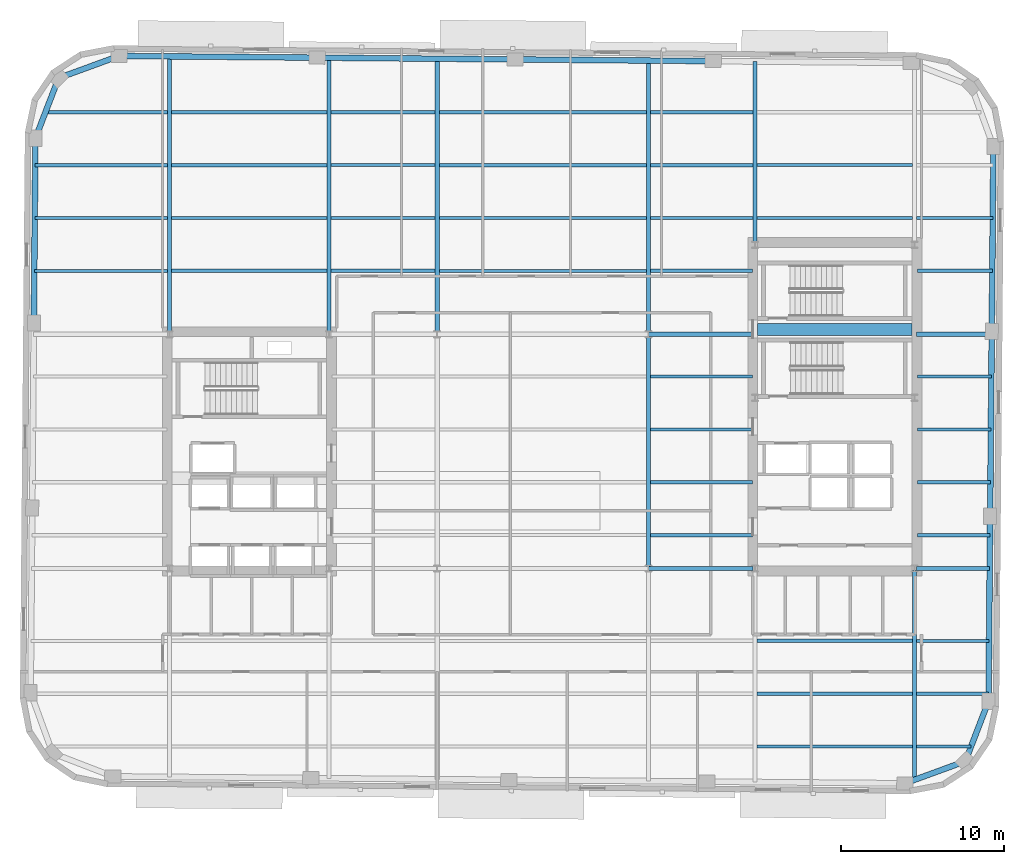
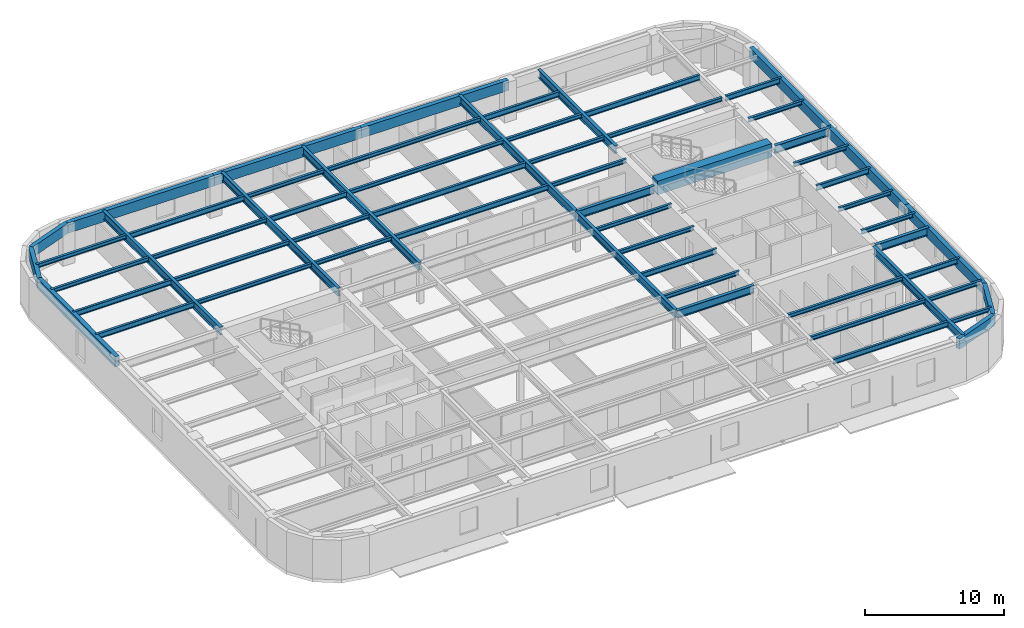
# One storey, part 2 of 11: 61 beams.
"""IFC4 building model written with IfcOpenShell, lengths in metres."""

from ifc_helpers import new_model, si_unit, direction, frame, origin, origin_2d, place, context, subcontext, project, spatial, rectangle, hollow_rectangle, i_section, extrude, material, material_profile, profile_set, type_object, element, save


model = new_model("IFC4")

# Units and contexts
model_context = context("Model", 3, precision=1e-05, world=origin(), true_north=direction((0.0, 1.0)))
body_context = subcontext(model_context, "Body", "Model", "MODEL_VIEW")
ifc_project = project(units=[si_unit("LENGTHUNIT", "METRE"), si_unit("AREAUNIT", "SQUARE_METRE"), si_unit("VOLUMEUNIT", "CUBIC_METRE"), si_unit("PLANEANGLEUNIT", "RADIAN"), si_unit("MASSUNIT", "GRAM", prefix="KILO")], contexts=[model_context])

# Site, building, storey
site_placement = place(None, origin())
site = spatial("IfcSite", under=ifc_project, at=site_placement, CompositionType="ELEMENT")
building_placement = place(site_placement, origin())
building = spatial("IfcBuilding", under=site, at=building_placement, Name="Kolvaren Arena Tower", CompositionType="ELEMENT")
storey_placement = place(building_placement, frame((0.0, 0.0, 162.199951171875)))
storey = spatial("IfcBuildingStorey", under=building, at=storey_placement, Name="L38", CompositionType="ELEMENT", Elevation=162.199951171875)

# Beams
ifc_material_1 = material(Name="Steel CSA G40.21 350W", Category="steel")
ifc_material_profile_1 = material_profile(ifc_material_1, i_section(OverallWidth=0.193115234375, OverallDepth=0.462890625, WebThickness=0.0107421875, FlangeThickness=0.0205078125, FilletRadius=0.012939453125, at=origin_2d()), Name="W460x113")
ifc_profile_set_1 = profile_set([ifc_material_profile_1], Name="Steel CSA G40.21 350W")
beam_type_1 = type_object("IfcBeamType", Name="BEAM-F2", PredefinedType="BEAM", material=ifc_profile_set_1)
beam_1_placement = place(storey_placement, frame((50.677490234375, 8.5, 3.24853515625), z_axis=(1.0, 0.0, 0.0), x_axis=(0.0, 1.0, 0.0)))
element("IfcBeam", 1, at=beam_1_placement, inside=storey, type_object=beam_type_1, Name="Composite Floor Beam (L38)", PredefinedType="BEAM", context=body_context, shape_type="SweptSolid", body=[
    extrude(i_section(OverallWidth=0.193115234375, OverallDepth=0.462890625, WebThickness=0.0107421875, FlangeThickness=0.0205078125, FilletRadius=0.012939453125, at=origin_2d()), origin(), (0.0, 0.0, 1.0), 9.544921875),
])
beam_2_placement = place(storey_placement, frame((60.4775390625, 15.0, 3.24853515625), z_axis=(1.0, 0.0, 0.0), x_axis=(0.0, 1.0, 0.0)))
element("IfcBeam", 2, at=beam_2_placement, inside=storey, type_object=beam_type_1, Name="Composite Floor Beam (L38)", PredefinedType="BEAM", context=body_context, shape_type="SweptSolid", body=[
    extrude(i_section(OverallWidth=0.193115234375, OverallDepth=0.462890625, WebThickness=0.0107421875, FlangeThickness=0.0205078125, FilletRadius=0.012939453125, at=origin_2d()), origin(), (0.0, 0.0, 1.0), 4.454833984375),
])
beam_3_placement = place(storey_placement, frame((44.12744140625, 24.75, 3.24853515625), z_axis=(1.0, 0.0, 0.0), x_axis=(0.0, 1.0, 0.0)))
element("IfcBeam", 3, at=beam_3_placement, inside=storey, type_object=beam_type_1, Name="Composite Floor Beam (L38)", PredefinedType="BEAM", context=body_context, shape_type="SweptSolid", body=[
    extrude(i_section(OverallWidth=0.193115234375, OverallDepth=0.462890625, WebThickness=0.0107421875, FlangeThickness=0.0205078125, FilletRadius=0.012939453125, at=origin_2d()), origin(), (0.0, 0.0, 1.0), 6.25244140625),
])
beam_4_placement = place(storey_placement, frame((60.52001953125, 28.0, 3.24853515625), z_axis=(1.0, 0.0, 0.0), x_axis=(0.0, 1.0, 0.0)))
element("IfcBeam", 4, at=beam_4_placement, inside=storey, type_object=beam_type_1, Name="Composite Floor Beam (L38)", PredefinedType="BEAM", context=body_context, shape_type="SweptSolid", body=[
    extrude(i_section(OverallWidth=0.193115234375, OverallDepth=0.462890625, WebThickness=0.0107421875, FlangeThickness=0.0205078125, FilletRadius=0.012939453125, at=origin_2d()), origin(), (0.0, 0.0, 1.0), 4.52587890625),
])
beam_5_placement = place(storey_placement, frame((6.228759765625, 37.75, 3.24853515625), z_axis=(1.0, 0.0, 0.0), x_axis=(0.0, 1.0, 0.0)))
element("IfcBeam", 5, at=beam_5_placement, inside=storey, type_object=beam_type_1, Name="Composite Floor Beam (L38)", PredefinedType="BEAM", context=body_context, shape_type="SweptSolid", body=[
    extrude(i_section(OverallWidth=0.193115234375, OverallDepth=0.462890625, WebThickness=0.0107421875, FlangeThickness=0.0205078125, FilletRadius=0.012939453125, at=origin_2d()), origin(), (0.0, 0.0, 1.0), 8.19384765625),
])
beam_6_placement = place(storey_placement, frame((31.12744140625, 37.75, 3.24853515625), z_axis=(1.0, 0.0, 0.0), x_axis=(0.0, 1.0, 0.0)))
element("IfcBeam", 6, at=beam_6_placement, inside=storey, type_object=beam_type_1, Name="Composite Floor Beam (L38)", PredefinedType="BEAM", context=body_context, shape_type="SweptSolid", body=[
    extrude(i_section(OverallWidth=0.193115234375, OverallDepth=0.462890625, WebThickness=0.0107421875, FlangeThickness=0.0205078125, FilletRadius=0.012939453125, at=origin_2d()), origin(), (0.0, 0.0, 1.0), 12.7451171875),
])
beam_7_placement = place(storey_placement, frame((6.257080078125, 41.0, 3.24853515625), z_axis=(1.0, 0.0, 0.0), x_axis=(0.0, 1.0, 0.0)))
element("IfcBeam", 7, at=beam_7_placement, inside=storey, type_object=beam_type_1, Name="Composite Floor Beam (L38)", PredefinedType="BEAM", context=body_context, shape_type="SweptSolid", body=[
    extrude(i_section(OverallWidth=0.193115234375, OverallDepth=0.462890625, WebThickness=0.0107421875, FlangeThickness=0.0205078125, FilletRadius=0.012939453125, at=origin_2d()), origin(), (0.0, 0.0, 1.0), 8.16552734375),
])
beam_8_placement = place(storey_placement, frame((31.12744140625, 41.0, 3.24853515625), z_axis=(1.0, 0.0, 0.0), x_axis=(0.0, 1.0, 0.0)))
element("IfcBeam", 8, at=beam_8_placement, inside=storey, type_object=beam_type_1, Name="Composite Floor Beam (L38)", PredefinedType="BEAM", context=body_context, shape_type="SweptSolid", body=[
    extrude(i_section(OverallWidth=0.193115234375, OverallDepth=0.462890625, WebThickness=0.0107421875, FlangeThickness=0.0205078125, FilletRadius=0.012939453125, at=origin_2d()), origin(), (0.0, 0.0, 1.0), 12.7451171875),
])
beam_9_placement = place(storey_placement, frame((60.4775390625, 41.0, 3.24853515625), z_axis=(1.0, 0.0, 0.0), x_axis=(0.0, 1.0, 0.0)))
element("IfcBeam", 9, at=beam_9_placement, inside=storey, type_object=beam_type_1, Name="Composite Floor Beam (L38)", PredefinedType="BEAM", context=body_context, shape_type="SweptSolid", body=[
    extrude(i_section(OverallWidth=0.193115234375, OverallDepth=0.462890625, WebThickness=0.0107421875, FlangeThickness=0.0205078125, FilletRadius=0.012939453125, at=origin_2d()), origin(), (0.0, 0.0, 1.0), 4.681884765625),
])
beam_10_placement = place(storey_placement, frame((24.4775390625, 44.25, 3.24853515625), z_axis=(1.0, 0.0, 0.0), x_axis=(0.0, 1.0, 0.0)))
element("IfcBeam", 10, at=beam_10_placement, inside=storey, type_object=beam_type_1, Name="Composite Floor Beam (L38)", PredefinedType="BEAM", context=body_context, shape_type="SweptSolid", body=[
    extrude(i_section(OverallWidth=0.193115234375, OverallDepth=0.462890625, WebThickness=0.0107421875, FlangeThickness=0.0205078125, FilletRadius=0.012939453125, at=origin_2d()), origin(), (0.0, 0.0, 1.0), 6.39501953125),
])
for number, where, z_axis, x_axis, name in (
    (11, (50.677490234375, 44.25, 3.24853515625), (1.0, 0.0, 0.0), (0.0, 1.0, 0.0), "Composite Floor Beam (L38)"),
    (12, (14.677490234375, 47.5, 3.24853515625), (1.0, 0.0, 0.0), (0.0, 1.0, 0.0), "Composite Floor Beam (L38)"),
):
    element("IfcBeam", number, at=place(storey_placement, frame(where, z_axis=z_axis, x_axis=x_axis)), inside=storey, type_object=beam_type_1, Name=name, PredefinedType="BEAM", context=body_context, shape_type="SweptSolid", body=[
        extrude(i_section(OverallWidth=0.193115234375, OverallDepth=0.462890625, WebThickness=0.0107421875, FlangeThickness=0.0205078125, FilletRadius=0.012939453125, at=origin_2d()), origin(), (0.0, 0.0, 1.0), 9.544921875),
    ])
beam_11_placement = place(storey_placement, frame((44.12744140625, 47.5, 3.24853515625), z_axis=(1.0, 0.0, 0.0), x_axis=(0.0, 1.0, 0.0)))
element("IfcBeam", 13, at=beam_11_placement, inside=storey, type_object=beam_type_1, Name="Composite Floor Beam (L38)", PredefinedType="BEAM", context=body_context, shape_type="SweptSolid", body=[
    extrude(i_section(OverallWidth=0.193115234375, OverallDepth=0.462890625, WebThickness=0.0107421875, FlangeThickness=0.0205078125, FilletRadius=0.012939453125, at=origin_2d()), origin(), (0.0, 0.0, 1.0), 6.295166015625),
])
ifc_material_2 = material(Name="Concrete 60 MPa", Category="concrete")
ifc_material_profile_2 = material_profile(ifc_material_2, rectangle(XDim=0.75, YDim=1.199951171875, at=origin_2d()), Name="RC-750x1200")
ifc_profile_set_2 = profile_set([ifc_material_profile_2], Name="Concrete 60 MPa")
beam_type_2 = type_object("IfcBeamType", Name="CB-CORE-2", PredefinedType="BEAM", material=ifc_profile_set_2)
beam_12_placement = place(storey_placement, frame((50.699951171875, 34.14990234375, 3.150146484375), z_axis=(1.0, 0.0, 0.0), x_axis=(0.0, 1.0, 0.0)))
element("IfcBeam", 14, at=beam_12_placement, inside=storey, type_object=beam_type_2, Name="East Core Coupling Beam (L38)", PredefinedType="BEAM", context=body_context, shape_type="SweptSolid", body=[
    extrude(rectangle(XDim=0.75, YDim=1.199951171875, at=origin_2d()), origin(), (0.0, 0.0, 1.0), 9.5),
])
ifc_material_profile_3 = material_profile(ifc_material_1, i_section(OverallWidth=0.2548828125, OverallDepth=0.695068359375, WebThickness=0.01708984375, FlangeThickness=0.02978515625, FilletRadius=0.01611328125, at=origin_2d()), Name="W690x217")
ifc_profile_set_3 = profile_set([ifc_material_profile_3], Name="Steel CSA G40.21 350W")
beam_type_3 = type_object("IfcBeamType", Name="GIRD-T2", PredefinedType="BEAM", material=ifc_profile_set_3)
beam_13_placement = place(storey_placement, frame((44.0, 19.449951171875, 3.132568359375), z_axis=(1.0, 0.0, 0.0), x_axis=(0.0, 1.0, 0.0)))
element("IfcBeam", 15, at=beam_13_placement, inside=storey, type_object=beam_type_3, Name="Primary Floor Girder (L38)", PredefinedType="BEAM", context=body_context, shape_type="SweptSolid", body=[
    extrude(i_section(OverallWidth=0.2548828125, OverallDepth=0.695068359375, WebThickness=0.01708984375, FlangeThickness=0.02978515625, FilletRadius=0.01611328125, at=origin_2d()), origin(), (0.0, 0.0, 1.0), 6.419921875),
])
beam_14_placement = place(storey_placement, frame((60.47998046875, 19.449951171875, 3.132568359375), z_axis=(1.0, 0.0, 0.0), x_axis=(0.0, 1.0, 0.0)))
element("IfcBeam", 16, at=beam_14_placement, inside=storey, type_object=beam_type_3, Name="Primary Floor Girder (L38)", PredefinedType="BEAM", context=body_context, shape_type="SweptSolid", body=[
    extrude(i_section(OverallWidth=0.2548828125, OverallDepth=0.695068359375, WebThickness=0.01708984375, FlangeThickness=0.02978515625, FilletRadius=0.01611328125, at=origin_2d()), origin(), (0.0, 0.0, 1.0), 4.4912109375),
])
beam_15_placement = place(storey_placement, frame((44.0, 33.85009765625, 3.132568359375), z_axis=(1.0, 0.0, 0.0), x_axis=(0.0, 1.0, 0.0)))
element("IfcBeam", 17, at=beam_15_placement, inside=storey, type_object=beam_type_3, Name="Primary Floor Girder (L38)", PredefinedType="BEAM", context=body_context, shape_type="SweptSolid", body=[
    extrude(i_section(OverallWidth=0.2548828125, OverallDepth=0.695068359375, WebThickness=0.01708984375, FlangeThickness=0.02978515625, FilletRadius=0.01611328125, at=origin_2d()), origin(), (0.0, 0.0, 1.0), 6.419921875),
])
beam_16_placement = place(storey_placement, frame((60.47998046875, 33.85009765625, 3.132568359375), z_axis=(1.0, 0.0, 0.0), x_axis=(0.0, 1.0, 0.0)))
element("IfcBeam", 18, at=beam_16_placement, inside=storey, type_object=beam_type_3, Name="Primary Floor Girder (L38)", PredefinedType="BEAM", context=body_context, shape_type="SweptSolid", body=[
    extrude(i_section(OverallWidth=0.2548828125, OverallDepth=0.695068359375, WebThickness=0.01708984375, FlangeThickness=0.02978515625, FilletRadius=0.01611328125, at=origin_2d()), origin(), (0.0, 0.0, 1.0), 4.616943359375),
])
beam_17_placement = place(storey_placement, frame((14.550048828125, 33.97998046875, 3.132568359375), z_axis=(0.0, 1.0, 0.0), x_axis=(-1.0, 0.0, 0.0)))
element("IfcBeam", 19, at=beam_17_placement, inside=storey, type_object=beam_type_3, Name="Primary Floor Girder (L38)", PredefinedType="BEAM", context=body_context, shape_type="SweptSolid", body=[
    extrude(i_section(OverallWidth=0.2548828125, OverallDepth=0.695068359375, WebThickness=0.01708984375, FlangeThickness=0.02978515625, FilletRadius=0.01611328125, at=origin_2d()), origin(), (0.0, 0.0, 1.0), 16.95458984375),
])
beam_18_placement = place(storey_placement, frame((24.35009765625, 33.97998046875, 3.132568359375), z_axis=(0.0, 1.0, 0.0), x_axis=(-1.0, 0.0, 0.0)))
element("IfcBeam", 20, at=beam_18_placement, inside=storey, type_object=beam_type_3, Name="Primary Floor Girder (L38)", PredefinedType="BEAM", context=body_context, shape_type="SweptSolid", body=[
    extrude(i_section(OverallWidth=0.2548828125, OverallDepth=0.695068359375, WebThickness=0.01708984375, FlangeThickness=0.02978515625, FilletRadius=0.01611328125, at=origin_2d()), origin(), (0.0, 0.0, 1.0), 16.869140625),
])
beam_19_placement = place(storey_placement, frame((31.0, 33.85009765625, 3.132568359375), z_axis=(0.0, 1.0, 0.0), x_axis=(-1.0, 0.0, 0.0)))
element("IfcBeam", 21, at=beam_19_placement, inside=storey, type_object=beam_type_3, Name="Primary Floor Girder (L38)", PredefinedType="BEAM", context=body_context, shape_type="SweptSolid", body=[
    extrude(i_section(OverallWidth=0.2548828125, OverallDepth=0.695068359375, WebThickness=0.01708984375, FlangeThickness=0.02978515625, FilletRadius=0.01611328125, at=origin_2d()), origin(), (0.0, 0.0, 1.0), 16.94091796875),
])
beam_20_placement = place(storey_placement, frame((44.0, 19.449951171875, 3.132568359375), z_axis=(0.0, 1.0, 0.0), x_axis=(-1.0, 0.0, 0.0)))
element("IfcBeam", 22, at=beam_20_placement, inside=storey, type_object=beam_type_3, Name="Primary Floor Girder (L38)", PredefinedType="BEAM", context=body_context, shape_type="SweptSolid", body=[
    extrude(i_section(OverallWidth=0.2548828125, OverallDepth=0.695068359375, WebThickness=0.01708984375, FlangeThickness=0.02978515625, FilletRadius=0.01611328125, at=origin_2d()), origin(), (0.0, 0.0, 1.0), 14.400146484375),
])
beam_21_placement = place(storey_placement, frame((44.0, 33.85009765625, 3.132568359375), z_axis=(0.0, 1.0, 0.0), x_axis=(-1.0, 0.0, 0.0)))
element("IfcBeam", 23, at=beam_21_placement, inside=storey, type_object=beam_type_3, Name="Primary Floor Girder (L38)", PredefinedType="BEAM", context=body_context, shape_type="SweptSolid", body=[
    extrude(i_section(OverallWidth=0.2548828125, OverallDepth=0.695068359375, WebThickness=0.01708984375, FlangeThickness=0.02978515625, FilletRadius=0.01611328125, at=origin_2d()), origin(), (0.0, 0.0, 1.0), 16.827392578125),
])
beam_22_placement = place(storey_placement, frame((50.550048828125, 39.47998046875, 3.132568359375), z_axis=(0.0, 1.0, 0.0), x_axis=(-1.0, 0.0, 0.0)))
element("IfcBeam", 24, at=beam_22_placement, inside=storey, type_object=beam_type_3, Name="Primary Floor Girder (L38)", PredefinedType="BEAM", context=body_context, shape_type="SweptSolid", body=[
    extrude(i_section(OverallWidth=0.2548828125, OverallDepth=0.695068359375, WebThickness=0.01708984375, FlangeThickness=0.02978515625, FilletRadius=0.01611328125, at=origin_2d()), origin(), (0.0, 0.0, 1.0), 11.140380859375),
])
beam_23_placement = place(storey_placement, frame((60.35009765625, 6.455322265625, 3.132568359375), z_axis=(0.0, 1.0, 0.0), x_axis=(-1.0, 0.0, 0.0)))
element("IfcBeam", 25, at=beam_23_placement, inside=storey, type_object=beam_type_3, Name="Primary Floor Girder (L38)", PredefinedType="BEAM", context=body_context, shape_type="SweptSolid", body=[
    extrude(i_section(OverallWidth=0.2548828125, OverallDepth=0.695068359375, WebThickness=0.01708984375, FlangeThickness=0.02978515625, FilletRadius=0.01611328125, at=origin_2d()), origin(), (0.0, 0.0, 1.0), 12.86474609375),
])
ifc_material_profile_4 = material_profile(ifc_material_1, i_section(OverallWidth=0.202880859375, OverallDepth=0.346923828125, WebThickness=0.0078125, FlangeThickness=0.013427734375, FilletRadius=0.010986328125, at=origin_2d()), Name="W360x64")
ifc_profile_set_4 = profile_set([ifc_material_profile_4], Name="Steel CSA G40.21 350W")
beam_type_4 = type_object("IfcBeamType", Name="JOIST-01", PredefinedType="JOIST", material=ifc_profile_set_4)
beam_24_placement = place(storey_placement, frame((60.4775390625, 8.5, 3.306640625), z_axis=(1.0, 0.0, 0.0), x_axis=(0.0, 1.0, 0.0)))
element("IfcBeam", 26, at=beam_24_placement, inside=storey, type_object=beam_type_4, Name="Composite Floor Joist (L38)", PredefinedType="JOIST", context=body_context, shape_type="SweptSolid", body=[
    extrude(i_section(OverallWidth=0.202880859375, OverallDepth=0.346923828125, WebThickness=0.0078125, FlangeThickness=0.013427734375, FilletRadius=0.010986328125, at=origin_2d()), origin(), (0.0, 0.0, 1.0), 3.3466796875),
])
beam_25_placement = place(storey_placement, frame((50.677490234375, 11.75, 3.306640625), z_axis=(1.0, 0.0, 0.0), x_axis=(0.0, 1.0, 0.0)))
element("IfcBeam", 27, at=beam_25_placement, inside=storey, type_object=beam_type_4, Name="Composite Floor Joist (L38)", PredefinedType="JOIST", context=body_context, shape_type="SweptSolid", body=[
    extrude(i_section(OverallWidth=0.202880859375, OverallDepth=0.346923828125, WebThickness=0.0078125, FlangeThickness=0.013427734375, FilletRadius=0.010986328125, at=origin_2d()), origin(), (0.0, 0.0, 1.0), 9.544921875),
])
beam_26_placement = place(storey_placement, frame((60.4775390625, 11.75, 3.306640625), z_axis=(1.0, 0.0, 0.0), x_axis=(0.0, 1.0, 0.0)))
element("IfcBeam", 28, at=beam_26_placement, inside=storey, type_object=beam_type_4, Name="Composite Floor Joist (L38)", PredefinedType="JOIST", context=body_context, shape_type="SweptSolid", body=[
    extrude(i_section(OverallWidth=0.202880859375, OverallDepth=0.346923828125, WebThickness=0.0078125, FlangeThickness=0.013427734375, FilletRadius=0.010986328125, at=origin_2d()), origin(), (0.0, 0.0, 1.0), 4.426513671875),
])
beam_27_placement = place(storey_placement, frame((50.677490234375, 15.0, 3.306640625), z_axis=(1.0, 0.0, 0.0), x_axis=(0.0, 1.0, 0.0)))
element("IfcBeam", 29, at=beam_27_placement, inside=storey, type_object=beam_type_4, Name="Composite Floor Joist (L38)", PredefinedType="JOIST", context=body_context, shape_type="SweptSolid", body=[
    extrude(i_section(OverallWidth=0.202880859375, OverallDepth=0.346923828125, WebThickness=0.0078125, FlangeThickness=0.013427734375, FilletRadius=0.010986328125, at=origin_2d()), origin(), (0.0, 0.0, 1.0), 9.544921875),
])
beam_28_placement = place(storey_placement, frame((44.12744140625, 21.5, 3.306640625), z_axis=(1.0, 0.0, 0.0), x_axis=(0.0, 1.0, 0.0)))
element("IfcBeam", 30, at=beam_28_placement, inside=storey, type_object=beam_type_4, Name="Composite Floor Joist (L38)", PredefinedType="JOIST", context=body_context, shape_type="SweptSolid", body=[
    extrude(i_section(OverallWidth=0.202880859375, OverallDepth=0.346923828125, WebThickness=0.0078125, FlangeThickness=0.013427734375, FilletRadius=0.010986328125, at=origin_2d()), origin(), (0.0, 0.0, 1.0), 6.25244140625),
])
beam_29_placement = place(storey_placement, frame((60.52001953125, 21.5, 3.306640625), z_axis=(1.0, 0.0, 0.0), x_axis=(0.0, 1.0, 0.0)))
element("IfcBeam", 31, at=beam_29_placement, inside=storey, type_object=beam_type_4, Name="Composite Floor Joist (L38)", PredefinedType="JOIST", context=body_context, shape_type="SweptSolid", body=[
    extrude(i_section(OverallWidth=0.202880859375, OverallDepth=0.346923828125, WebThickness=0.0078125, FlangeThickness=0.013427734375, FilletRadius=0.010986328125, at=origin_2d()), origin(), (0.0, 0.0, 1.0), 4.46923828125),
])
beam_30_placement = place(storey_placement, frame((60.52001953125, 24.75, 3.306640625), z_axis=(1.0, 0.0, 0.0), x_axis=(0.0, 1.0, 0.0)))
element("IfcBeam", 32, at=beam_30_placement, inside=storey, type_object=beam_type_4, Name="Composite Floor Joist (L38)", PredefinedType="JOIST", context=body_context, shape_type="SweptSolid", body=[
    extrude(i_section(OverallWidth=0.202880859375, OverallDepth=0.346923828125, WebThickness=0.0078125, FlangeThickness=0.013427734375, FilletRadius=0.010986328125, at=origin_2d()), origin(), (0.0, 0.0, 1.0), 4.49755859375),
])
for number, where, z_axis, x_axis, name in (
    (33, (44.12744140625, 28.0, 3.306640625), (1.0, 0.0, 0.0), (0.0, 1.0, 0.0), "Composite Floor Joist (L38)"),
    (34, (44.12744140625, 31.25, 3.306640625), (1.0, 0.0, 0.0), (0.0, 1.0, 0.0), "Composite Floor Joist (L38)"),
):
    element("IfcBeam", number, at=place(storey_placement, frame(where, z_axis=z_axis, x_axis=x_axis)), inside=storey, type_object=beam_type_4, Name=name, PredefinedType="JOIST", context=body_context, shape_type="SweptSolid", body=[
        extrude(i_section(OverallWidth=0.202880859375, OverallDepth=0.346923828125, WebThickness=0.0078125, FlangeThickness=0.013427734375, FilletRadius=0.010986328125, at=origin_2d()), origin(), (0.0, 0.0, 1.0), 6.25244140625),
    ])
beam_31_placement = place(storey_placement, frame((60.52001953125, 31.25, 3.306640625), z_axis=(1.0, 0.0, 0.0), x_axis=(0.0, 1.0, 0.0)))
element("IfcBeam", 35, at=beam_31_placement, inside=storey, type_object=beam_type_4, Name="Composite Floor Joist (L38)", PredefinedType="JOIST", context=body_context, shape_type="SweptSolid", body=[
    extrude(i_section(OverallWidth=0.202880859375, OverallDepth=0.346923828125, WebThickness=0.0078125, FlangeThickness=0.013427734375, FilletRadius=0.010986328125, at=origin_2d()), origin(), (0.0, 0.0, 1.0), 4.55419921875),
])
beam_32_placement = place(storey_placement, frame((14.677490234375, 37.75, 3.306640625), z_axis=(1.0, 0.0, 0.0), x_axis=(0.0, 1.0, 0.0)))
element("IfcBeam", 36, at=beam_32_placement, inside=storey, type_object=beam_type_4, Name="Composite Floor Joist (L38)", PredefinedType="JOIST", context=body_context, shape_type="SweptSolid", body=[
    extrude(i_section(OverallWidth=0.202880859375, OverallDepth=0.346923828125, WebThickness=0.0078125, FlangeThickness=0.013427734375, FilletRadius=0.010986328125, at=origin_2d()), origin(), (0.0, 0.0, 1.0), 9.544921875),
])
beam_33_placement = place(storey_placement, frame((24.4775390625, 37.75, 3.306640625), z_axis=(1.0, 0.0, 0.0), x_axis=(0.0, 1.0, 0.0)))
element("IfcBeam", 37, at=beam_33_placement, inside=storey, type_object=beam_type_4, Name="Composite Floor Joist (L38)", PredefinedType="JOIST", context=body_context, shape_type="SweptSolid", body=[
    extrude(i_section(OverallWidth=0.202880859375, OverallDepth=0.346923828125, WebThickness=0.0078125, FlangeThickness=0.013427734375, FilletRadius=0.010986328125, at=origin_2d()), origin(), (0.0, 0.0, 1.0), 6.39501953125),
])
beam_34_placement = place(storey_placement, frame((44.12744140625, 37.75, 3.306640625), z_axis=(1.0, 0.0, 0.0), x_axis=(0.0, 1.0, 0.0)))
element("IfcBeam", 38, at=beam_34_placement, inside=storey, type_object=beam_type_4, Name="Composite Floor Joist (L38)", PredefinedType="JOIST", context=body_context, shape_type="SweptSolid", body=[
    extrude(i_section(OverallWidth=0.202880859375, OverallDepth=0.346923828125, WebThickness=0.0078125, FlangeThickness=0.013427734375, FilletRadius=0.010986328125, at=origin_2d()), origin(), (0.0, 0.0, 1.0), 6.25244140625),
])
beam_35_placement = place(storey_placement, frame((60.52001953125, 37.75, 3.306640625), z_axis=(1.0, 0.0, 0.0), x_axis=(0.0, 1.0, 0.0)))
element("IfcBeam", 39, at=beam_35_placement, inside=storey, type_object=beam_type_4, Name="Composite Floor Joist (L38)", PredefinedType="JOIST", context=body_context, shape_type="SweptSolid", body=[
    extrude(i_section(OverallWidth=0.202880859375, OverallDepth=0.346923828125, WebThickness=0.0078125, FlangeThickness=0.013427734375, FilletRadius=0.010986328125, at=origin_2d()), origin(), (0.0, 0.0, 1.0), 4.611083984375),
])
beam_36_placement = place(storey_placement, frame((14.677490234375, 41.0, 3.306640625), z_axis=(1.0, 0.0, 0.0), x_axis=(0.0, 1.0, 0.0)))
element("IfcBeam", 40, at=beam_36_placement, inside=storey, type_object=beam_type_4, Name="Composite Floor Joist (L38)", PredefinedType="JOIST", context=body_context, shape_type="SweptSolid", body=[
    extrude(i_section(OverallWidth=0.202880859375, OverallDepth=0.346923828125, WebThickness=0.0078125, FlangeThickness=0.013427734375, FilletRadius=0.010986328125, at=origin_2d()), origin(), (0.0, 0.0, 1.0), 9.544921875),
])
beam_37_placement = place(storey_placement, frame((24.4775390625, 41.0, 3.306640625), z_axis=(1.0, 0.0, 0.0), x_axis=(0.0, 1.0, 0.0)))
element("IfcBeam", 41, at=beam_37_placement, inside=storey, type_object=beam_type_4, Name="Composite Floor Joist (L38)", PredefinedType="JOIST", context=body_context, shape_type="SweptSolid", body=[
    extrude(i_section(OverallWidth=0.202880859375, OverallDepth=0.346923828125, WebThickness=0.0078125, FlangeThickness=0.013427734375, FilletRadius=0.010986328125, at=origin_2d()), origin(), (0.0, 0.0, 1.0), 6.39501953125),
])
beam_38_placement = place(storey_placement, frame((44.12744140625, 41.0, 3.306640625), z_axis=(1.0, 0.0, 0.0), x_axis=(0.0, 1.0, 0.0)))
element("IfcBeam", 42, at=beam_38_placement, inside=storey, type_object=beam_type_4, Name="Composite Floor Joist (L38)", PredefinedType="JOIST", context=body_context, shape_type="SweptSolid", body=[
    extrude(i_section(OverallWidth=0.202880859375, OverallDepth=0.346923828125, WebThickness=0.0078125, FlangeThickness=0.013427734375, FilletRadius=0.010986328125, at=origin_2d()), origin(), (0.0, 0.0, 1.0), 6.295166015625),
])
beam_39_placement = place(storey_placement, frame((50.677490234375, 41.0, 3.306640625), z_axis=(1.0, 0.0, 0.0), x_axis=(0.0, 1.0, 0.0)))
element("IfcBeam", 43, at=beam_39_placement, inside=storey, type_object=beam_type_4, Name="Composite Floor Joist (L38)", PredefinedType="JOIST", context=body_context, shape_type="SweptSolid", body=[
    extrude(i_section(OverallWidth=0.202880859375, OverallDepth=0.346923828125, WebThickness=0.0078125, FlangeThickness=0.013427734375, FilletRadius=0.010986328125, at=origin_2d()), origin(), (0.0, 0.0, 1.0), 9.544921875),
])
beam_40_placement = place(storey_placement, frame((6.285400390625, 44.25, 3.306640625), z_axis=(1.0, 0.0, 0.0), x_axis=(0.0, 1.0, 0.0)))
element("IfcBeam", 44, at=beam_40_placement, inside=storey, type_object=beam_type_4, Name="Composite Floor Joist (L38)", PredefinedType="JOIST", context=body_context, shape_type="SweptSolid", body=[
    extrude(i_section(OverallWidth=0.202880859375, OverallDepth=0.346923828125, WebThickness=0.0078125, FlangeThickness=0.013427734375, FilletRadius=0.010986328125, at=origin_2d()), origin(), (0.0, 0.0, 1.0), 8.13720703125),
])
beam_41_placement = place(storey_placement, frame((14.677490234375, 44.25, 3.306640625), z_axis=(1.0, 0.0, 0.0), x_axis=(0.0, 1.0, 0.0)))
element("IfcBeam", 45, at=beam_41_placement, inside=storey, type_object=beam_type_4, Name="Composite Floor Joist (L38)", PredefinedType="JOIST", context=body_context, shape_type="SweptSolid", body=[
    extrude(i_section(OverallWidth=0.202880859375, OverallDepth=0.346923828125, WebThickness=0.0078125, FlangeThickness=0.013427734375, FilletRadius=0.010986328125, at=origin_2d()), origin(), (0.0, 0.0, 1.0), 9.544921875),
])
beam_42_placement = place(storey_placement, frame((31.12744140625, 44.25, 3.306640625), z_axis=(1.0, 0.0, 0.0), x_axis=(0.0, 1.0, 0.0)))
element("IfcBeam", 46, at=beam_42_placement, inside=storey, type_object=beam_type_4, Name="Composite Floor Joist (L38)", PredefinedType="JOIST", context=body_context, shape_type="SweptSolid", body=[
    extrude(i_section(OverallWidth=0.202880859375, OverallDepth=0.346923828125, WebThickness=0.0078125, FlangeThickness=0.013427734375, FilletRadius=0.010986328125, at=origin_2d()), origin(), (0.0, 0.0, 1.0), 12.7451171875),
])
beam_43_placement = place(storey_placement, frame((44.12744140625, 44.25, 3.306640625), z_axis=(1.0, 0.0, 0.0), x_axis=(0.0, 1.0, 0.0)))
element("IfcBeam", 47, at=beam_43_placement, inside=storey, type_object=beam_type_4, Name="Composite Floor Joist (L38)", PredefinedType="JOIST", context=body_context, shape_type="SweptSolid", body=[
    extrude(i_section(OverallWidth=0.202880859375, OverallDepth=0.346923828125, WebThickness=0.0078125, FlangeThickness=0.013427734375, FilletRadius=0.010986328125, at=origin_2d()), origin(), (0.0, 0.0, 1.0), 6.295166015625),
])
beam_44_placement = place(storey_placement, frame((6.913818359375, 47.5, 3.306640625), z_axis=(1.0, 0.0, 0.0), x_axis=(0.0, 1.0, 0.0)))
element("IfcBeam", 48, at=beam_44_placement, inside=storey, type_object=beam_type_4, Name="Composite Floor Joist (L38)", PredefinedType="JOIST", context=body_context, shape_type="SweptSolid", body=[
    extrude(i_section(OverallWidth=0.202880859375, OverallDepth=0.346923828125, WebThickness=0.0078125, FlangeThickness=0.013427734375, FilletRadius=0.010986328125, at=origin_2d()), origin(), (0.0, 0.0, 1.0), 7.5087890625),
])
beam_45_placement = place(storey_placement, frame((24.4775390625, 47.5, 3.306640625), z_axis=(1.0, 0.0, 0.0), x_axis=(0.0, 1.0, 0.0)))
element("IfcBeam", 49, at=beam_45_placement, inside=storey, type_object=beam_type_4, Name="Composite Floor Joist (L38)", PredefinedType="JOIST", context=body_context, shape_type="SweptSolid", body=[
    extrude(i_section(OverallWidth=0.202880859375, OverallDepth=0.346923828125, WebThickness=0.0078125, FlangeThickness=0.013427734375, FilletRadius=0.010986328125, at=origin_2d()), origin(), (0.0, 0.0, 1.0), 6.39501953125),
])
beam_46_placement = place(storey_placement, frame((31.12744140625, 47.5, 3.306640625), z_axis=(1.0, 0.0, 0.0), x_axis=(0.0, 1.0, 0.0)))
element("IfcBeam", 50, at=beam_46_placement, inside=storey, type_object=beam_type_4, Name="Composite Floor Joist (L38)", PredefinedType="JOIST", context=body_context, shape_type="SweptSolid", body=[
    extrude(i_section(OverallWidth=0.202880859375, OverallDepth=0.346923828125, WebThickness=0.0078125, FlangeThickness=0.013427734375, FilletRadius=0.010986328125, at=origin_2d()), origin(), (0.0, 0.0, 1.0), 12.7451171875),
])
ifc_material_3 = material(Name="Steel CSA G40.21 350WT", Category="steel")
ifc_material_profile_5 = material_profile(ifc_material_3, hollow_rectangle(XDim=0.35009765625, YDim=0.89990234375, WallThickness=0.02001953125, at=origin_2d()), Name="HSS 900x350x20")
ifc_profile_set_5 = profile_set([ifc_material_profile_5], Name="Steel CSA G40.21 350WT")
beam_type_5 = type_object("IfcBeamType", Name="SPAND-01", PredefinedType="SPANDREL", material=ifc_profile_set_5)
for number, where, z_axis, x_axis, name in (
    (51, (59.755859375, 6.23828125, 3.030029296875), (0.939313819882, 0.343059102458, 0.0), (-0.343059102458, 0.939313819882, 0.0), "Perimeter Spandrel Beam (L38)"),
    (52, (63.4765625, 7.59716796875, 3.030029296875), (0.359383792094, 0.933189846698, 0.0), (-0.933189846698, 0.359383792094, 0.0), "Perimeter Spandrel Beam (L38)"),
):
    element("IfcBeam", number, at=place(storey_placement, frame(where, z_axis=z_axis, x_axis=x_axis)), inside=storey, type_object=beam_type_5, Name=name, PredefinedType="SPANDREL", context=body_context, shape_type="SweptSolid", body=[
        extrude(hollow_rectangle(XDim=0.35009765625, YDim=0.89990234375, WallThickness=0.02001953125, at=origin_2d()), origin(), (0.0, 0.0, 1.0), 3.961181640625),
    ])
for number, where, z_axis, x_axis, name in (
    (53, (64.900146484375, 11.293701171875, 3.030029296875), (0.008720348885, 0.999961977035, 0.0), (-0.999961977035, 0.008720348885, 0.0), "Perimeter Spandrel Beam (L38)"),
    (54, (64.999267578125, 22.659912109375, 3.030029296875), (0.008720348885, 0.999961977035, 0.0), (-0.999961977035, 0.008720348885, 0.0), "Perimeter Spandrel Beam (L38)"),
    (55, (65.098388671875, 34.026123046875, 3.030029296875), (0.008741825937, 0.99996178951, 0.0), (-0.99996178951, 0.008741825937, 0.0), "Perimeter Spandrel Beam (L38)"),
):
    element("IfcBeam", number, at=place(storey_placement, frame(where, z_axis=z_axis, x_axis=x_axis)), inside=storey, type_object=beam_type_5, Name=name, PredefinedType="SPANDREL", context=body_context, shape_type="SweptSolid", body=[
        extrude(hollow_rectangle(XDim=0.35009765625, YDim=0.89990234375, WallThickness=0.02001953125, at=origin_2d()), origin(), (0.0, 0.0, 1.0), 11.36669921875),
    ])
beam_47_placement = place(storey_placement, frame((47.9677734375, 50.642822265625, 3.030029296875), z_axis=(-0.999961779919, 0.008742922896, 0.0), x_axis=(-0.008742922896, -0.999961779919, 0.0)))
element("IfcBeam", 56, at=beam_47_placement, inside=storey, type_object=beam_type_5, Name="Perimeter Spandrel Beam (L38)", PredefinedType="SPANDREL", context=body_context, shape_type="SweptSolid", body=[
    extrude(hollow_rectangle(XDim=0.35009765625, YDim=0.89990234375, WallThickness=0.02001953125, at=origin_2d()), origin(), (0.0, 0.0, 1.0), 12.175048828125),
])
beam_48_placement = place(storey_placement, frame((35.793212890625, 50.749267578125, 3.030029296875), z_axis=(-0.999961953504, 0.008723046761, 0.0), x_axis=(-0.008723046761, -0.999961953504, 0.0)))
element("IfcBeam", 57, at=beam_48_placement, inside=storey, type_object=beam_type_5, Name="Perimeter Spandrel Beam (L38)", PredefinedType="SPANDREL", context=body_context, shape_type="SweptSolid", body=[
    extrude(hollow_rectangle(XDim=0.35009765625, YDim=0.89990234375, WallThickness=0.02001953125, at=origin_2d()), origin(), (0.0, 0.0, 1.0), 12.1748046875),
])
beam_49_placement = place(storey_placement, frame((23.618896484375, 50.85546875, 3.030029296875), z_axis=(-0.999961956555, 0.008722696942, 0.0), x_axis=(-0.008722696942, -0.999961956555, 0.0)))
element("IfcBeam", 58, at=beam_49_placement, inside=storey, type_object=beam_type_5, Name="Perimeter Spandrel Beam (L38)", PredefinedType="SPANDREL", context=body_context, shape_type="SweptSolid", body=[
    extrude(hollow_rectangle(XDim=0.35009765625, YDim=0.89990234375, WallThickness=0.02001953125, at=origin_2d()), origin(), (0.0, 0.0, 1.0), 12.17529296875),
])
for number, where, z_axis, x_axis, name in (
    (59, (11.444091796875, 50.961669921875, 3.030029296875), (-0.939313819882, -0.343059102458, 0.0), (0.343059102458, -0.939313819882, 0.0), "Perimeter Spandrel Beam (L38)"),
    (60, (7.723388671875, 49.602783203125, 3.030029296875), (-0.359383792094, -0.933189846698, 0.0), (0.933189846698, -0.359383792094, 0.0), "Perimeter Spandrel Beam (L38)"),
):
    element("IfcBeam", number, at=place(storey_placement, frame(where, z_axis=z_axis, x_axis=x_axis)), inside=storey, type_object=beam_type_5, Name=name, PredefinedType="SPANDREL", context=body_context, shape_type="SweptSolid", body=[
        extrude(hollow_rectangle(XDim=0.35009765625, YDim=0.89990234375, WallThickness=0.02001953125, at=origin_2d()), origin(), (0.0, 0.0, 1.0), 3.961181640625),
    ])
beam_50_placement = place(storey_placement, frame((6.2998046875, 45.90625, 3.030029296875), z_axis=(-0.008720348885, -0.999961977035, 0.0), x_axis=(0.999961977035, -0.008720348885, 0.0)))
element("IfcBeam", 61, at=beam_50_placement, inside=storey, type_object=beam_type_5, Name="Perimeter Spandrel Beam (L38)", PredefinedType="SPANDREL", context=body_context, shape_type="SweptSolid", body=[
    extrude(hollow_rectangle(XDim=0.35009765625, YDim=0.89990234375, WallThickness=0.02001953125, at=origin_2d()), origin(), (0.0, 0.0, 1.0), 11.36669921875),
])

save(model, "model.ifc")
